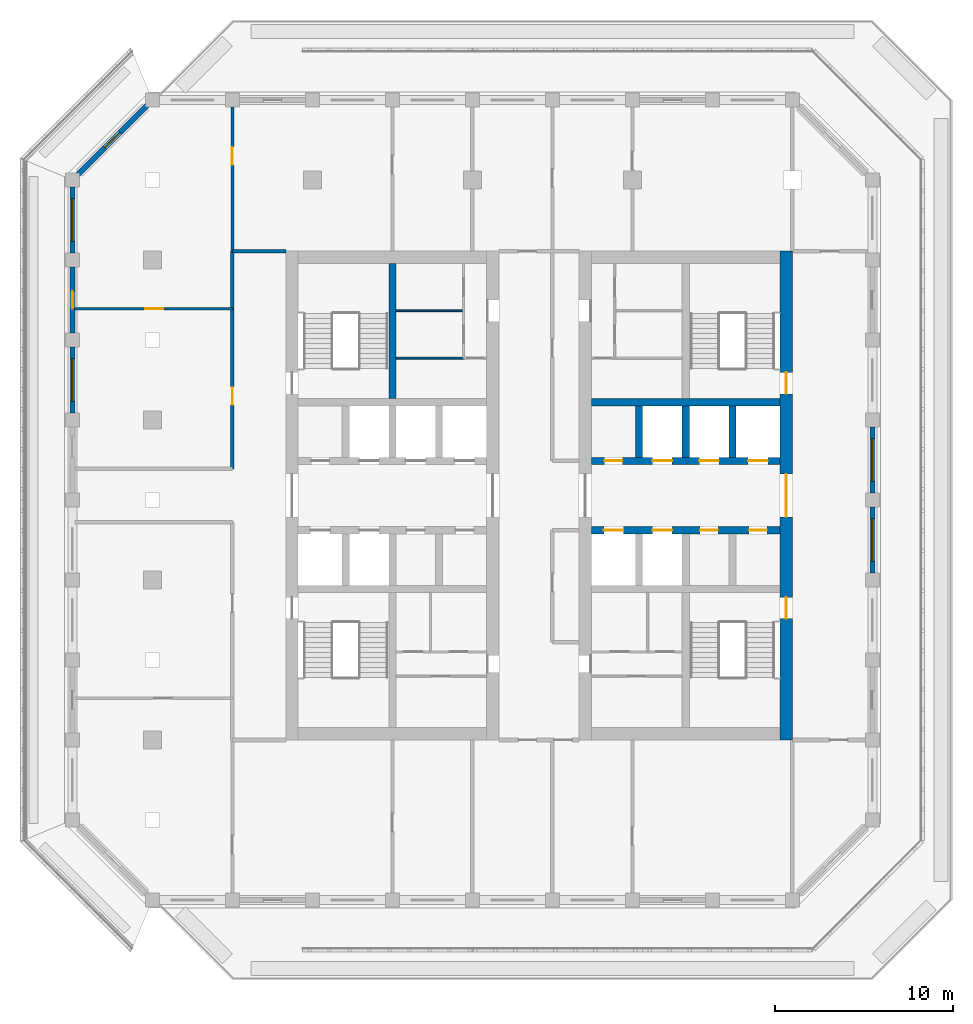
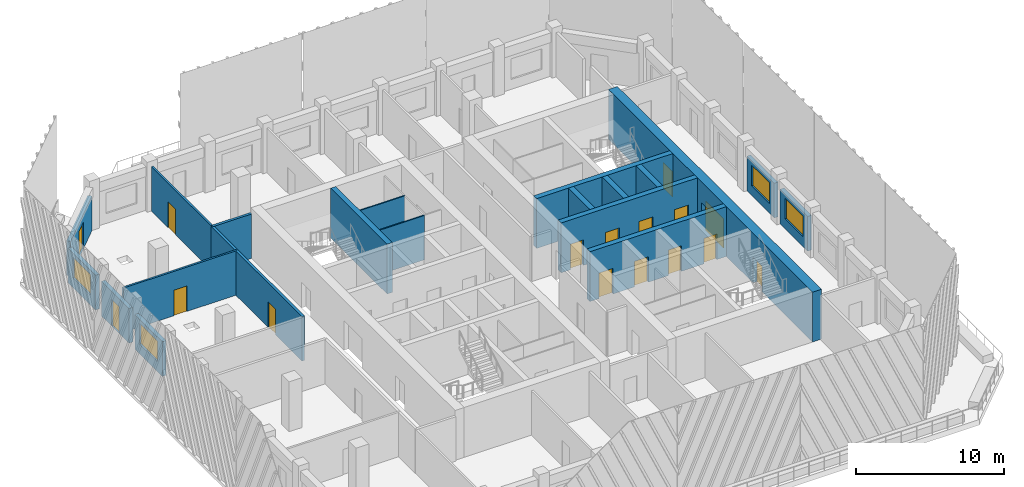
# One storey, part 5 of 14: 20 walls, 16 doors, 4 windows, 20 openings.
"""IFC4 building model written with IfcOpenShell, lengths in metres."""

from ifc_helpers import new_model, si_unit, direction, frame, frame_2d, origin, place, context, subcontext, project, spatial, rectangle, extrude, material, layer, layer_set, type_object, element, fill, save


model = new_model("IFC4")

# Units and contexts
model_context = context("Model", 3, precision=1e-05, world=origin(), true_north=direction((0.0, 1.0)))
body_context = subcontext(model_context, "Body", "Model", "MODEL_VIEW")
ifc_project = project(units=[si_unit("LENGTHUNIT", "METRE"), si_unit("AREAUNIT", "SQUARE_METRE"), si_unit("VOLUMEUNIT", "CUBIC_METRE"), si_unit("PLANEANGLEUNIT", "RADIAN"), si_unit("MASSUNIT", "GRAM", prefix="KILO")], contexts=[model_context])

# Site, building, storey
site_placement = place(None, origin())
site = spatial("IfcSite", under=ifc_project, at=site_placement, CompositionType="ELEMENT")
building_placement = place(site_placement, origin())
building = spatial("IfcBuilding", under=site, at=building_placement, Name="Corbel Stack Research Tower", CompositionType="ELEMENT")
storey_placement = place(building_placement, frame((0.0, 0.0, 266.300048828125)))
storey = spatial("IfcBuildingStorey", under=building, at=storey_placement, Name="L60", CompositionType="ELEMENT", Elevation=266.300048828125)

# Wall
ifc_material_1 = material(Name="Concrete C60/75", Category="concrete")
ifc_layer_1 = layer(ifc_material_1, 0.39990234375)
ifc_layer_set_1 = layer_set([ifc_layer_1], Name="Concrete C60/75")
wall_type_1 = type_object("IfcWallType", Name="CW-400-60", PredefinedType="SHEAR", material=ifc_layer_set_1)
wall_1_placement = place(storey_placement, frame((-4.5, 10.199951171875, 0.0), z_axis=(0.0, 0.0, 1.0), x_axis=(0.0, 1.0, 0.0)))
element("IfcWall", 1, at=wall_1_placement, inside=storey, type_object=wall_type_1, Name="West core wall, north stair and riser L60", PredefinedType="SHEAR", context=body_context, shape_type="SweptSolid", body=[
    extrude(rectangle(XDim=7.60009765625, YDim=0.39990234375, at=frame_2d((3.800048828125, 0.0))), origin(), (0.0, 0.0, 1.0), 4.099853515625),
])

# Wall, openings, doors
wall_2_placement = place(storey_placement, frame((6.699951171875, 2.800048828125, 0.0), z_axis=(0.0, 0.0, 1.0), x_axis=(1.0, 0.0, 0.0)))
wall_2 = element("IfcWall", 2, at=wall_2_placement, inside=storey, type_object=wall_type_1, Name="East core wall, lobby south L60", PredefinedType="SHEAR", context=body_context, shape_type="SweptSolid", body=[
    extrude(rectangle(XDim=10.60009765625, YDim=0.39990234375, at=frame_2d((5.300048828125, 0.0))), origin(), (0.0, 0.0, 1.0), 4.099853515625),
])
opening_1_placement = place(wall_2_placement, frame((0.6875, 0.0, 0.0)))
opening_1 = element("IfcOpeningElement", 3, at=opening_1_placement, cuts=wall_2, Name="Opening LD-FS2", PredefinedType="OPENING", context=body_context, shape_type="SweptSolid", body=[
    extrude(rectangle(XDim=1.10009765625, YDim=2.10009765625, at=frame_2d((0.550048828125, 1.050048828125))), frame((0.0, 0.2099609375, 0.0), z_axis=(0.0, -1.0, 0.0), x_axis=(1.0, 0.0, 0.0)), (0.0, 0.0, 1.0), 0.419921875),
])
opening_2_placement = place(wall_2_placement, frame((3.4375, 0.0, 0.0)))
opening_2 = element("IfcOpeningElement", 4, at=opening_2_placement, cuts=wall_2, Name="Opening LD-GL2", PredefinedType="OPENING", context=body_context, shape_type="SweptSolid", body=[
    extrude(rectangle(XDim=1.10009765625, YDim=2.10009765625, at=frame_2d((0.550048828125, 1.050048828125))), frame((0.0, 0.2099609375, 0.0), z_axis=(0.0, -1.0, 0.0), x_axis=(1.0, 0.0, 0.0)), (0.0, 0.0, 1.0), 0.419921875),
])
opening_3_placement = place(wall_2_placement, frame((6.112548828125, 0.0, 0.0)))
opening_3 = element("IfcOpeningElement", 5, at=opening_3_placement, cuts=wall_2, Name="Opening CR-E24-S3", PredefinedType="OPENING", context=body_context, shape_type="SweptSolid", body=[
    extrude(rectangle(XDim=1.0, YDim=2.10009765625, at=frame_2d((0.5, 1.050048828125))), frame((0.0, 0.2099609375, 0.0), z_axis=(0.0, -1.0, 0.0), x_axis=(1.0, 0.0, 0.0)), (0.0, 0.0, 1.0), 0.419921875),
])
opening_4_placement = place(wall_2_placement, frame((8.862548828125, 0.0, 0.0)))
opening_4 = element("IfcOpeningElement", 6, at=opening_4_placement, cuts=wall_2, Name="Opening CR-E24-S4", PredefinedType="OPENING", context=body_context, shape_type="SweptSolid", body=[
    extrude(rectangle(XDim=1.0, YDim=2.10009765625, at=frame_2d((0.5, 1.050048828125))), frame((0.0, 0.2099609375, 0.0), z_axis=(0.0, -1.0, 0.0), x_axis=(1.0, 0.0, 0.0)), (0.0, 0.0, 1.0), 0.419921875),
])
ifc_material_2 = material(Name="Stainless steel landing door", Category="steel")
door_type_1 = type_object("IfcDoorType", Name="Lift landing door 1100 x 2100", OperationType="DOUBLE_DOOR_SLIDING", PredefinedType="DOOR", material=ifc_material_2)
door_1_placement = place(opening_1_placement, origin())
door_1 = element("IfcDoor", 7, at=door_1_placement, inside=storey, type_object=door_type_1, Name="Landing door FS2", OperationType="DOUBLE_DOOR_SLIDING", OverallHeight=2.10009765625, OverallWidth=1.10009765625, PredefinedType="DOOR", context=body_context, shape_type="SweptSolid", body=[
    extrude(rectangle(XDim=1.10009765625, YDim=2.10009765625, at=frame_2d((0.550048828125, 1.050048828125))), frame((0.0, 0.02490234375, 0.0), z_axis=(0.0, -1.0, 0.0), x_axis=(1.0, 0.0, 0.0)), (0.0, 0.0, 1.0), 0.050048828125),
])
fill(opening_1, door_1)
door_2_placement = place(opening_2_placement, origin())
door_2 = element("IfcDoor", 8, at=door_2_placement, inside=storey, type_object=door_type_1, Name="Landing door GL2", OperationType="DOUBLE_DOOR_SLIDING", OverallHeight=2.10009765625, OverallWidth=1.10009765625, PredefinedType="DOOR", context=body_context, shape_type="SweptSolid", body=[
    extrude(rectangle(XDim=1.10009765625, YDim=2.10009765625, at=frame_2d((0.550048828125, 1.050048828125))), frame((0.0, 0.02490234375, 0.0), z_axis=(0.0, -1.0, 0.0), x_axis=(1.0, 0.0, 0.0)), (0.0, 0.0, 1.0), 0.050048828125),
])
fill(opening_2, door_2)
ifc_material_3 = material(Name="Painted steel door", Category="steel")
door_type_2 = type_object("IfcDoorType", Name="Service door 1000 x 2100 FD60 left hand", OperationType="SINGLE_SWING_LEFT", PredefinedType="DOOR", material=ifc_material_3)
door_3_placement = place(opening_3_placement, origin())
door_3 = element("IfcDoor", 9, at=door_3_placement, inside=storey, type_object=door_type_2, Name="Records store door E core", OperationType="SINGLE_SWING_LEFT", OverallHeight=2.10009765625, OverallWidth=1.0, PredefinedType="DOOR", context=body_context, shape_type="SweptSolid", body=[
    extrude(rectangle(XDim=1.0, YDim=2.10009765625, at=frame_2d((0.5, 1.050048828125))), frame((0.0, 0.02490234375, 0.0), z_axis=(0.0, -1.0, 0.0), x_axis=(1.0, 0.0, 0.0)), (0.0, 0.0, 1.0), 0.050048828125),
])
fill(opening_3, door_3)
ifc_material_4 = material(Name="Painted steel door", Category="steel")
door_type_3 = type_object("IfcDoorType", Name="Service door 1000 x 2100 FD60 right hand", OperationType="SINGLE_SWING_RIGHT", PredefinedType="DOOR", material=ifc_material_4)
door_4_placement = place(opening_4_placement, origin())
door_4 = element("IfcDoor", 10, at=door_4_placement, inside=storey, type_object=door_type_3, Name="Electrical room door E core", OperationType="SINGLE_SWING_RIGHT", OverallHeight=2.10009765625, OverallWidth=1.0, PredefinedType="DOOR", context=body_context, shape_type="SweptSolid", body=[
    extrude(rectangle(XDim=1.0, YDim=2.10009765625, at=frame_2d((0.5, 1.050048828125))), frame((0.0, 0.02490234375, 0.0), z_axis=(0.0, -1.0, 0.0), x_axis=(1.0, 0.0, 0.0)), (0.0, 0.0, 1.0), 0.050048828125),
])
fill(opening_4, door_4)

wall_3_placement = place(storey_placement, frame((6.699951171875, 6.699951171875, 0.0), z_axis=(0.0, 0.0, 1.0), x_axis=(1.0, 0.0, 0.0)))
wall_3 = element("IfcWall", 11, at=wall_3_placement, inside=storey, type_object=wall_type_1, Name="East core wall, lobby north L60", PredefinedType="SHEAR", context=body_context, shape_type="SweptSolid", body=[
    extrude(rectangle(XDim=10.60009765625, YDim=0.39990234375, at=frame_2d((5.300048828125, 0.0))), origin(), (0.0, 0.0, 1.0), 4.099853515625),
])
opening_5_placement = place(wall_3_placement, frame((3.4375, 0.0, 0.0)))
opening_5 = element("IfcOpeningElement", 12, at=opening_5_placement, cuts=wall_3, Name="Opening LD-HR4", PredefinedType="OPENING", context=body_context, shape_type="SweptSolid", body=[
    extrude(rectangle(XDim=1.10009765625, YDim=2.10009765625, at=frame_2d((0.550048828125, 1.050048828125))), frame((0.0, 0.2099609375, 0.0), z_axis=(0.0, -1.0, 0.0), x_axis=(1.0, 0.0, 0.0)), (0.0, 0.0, 1.0), 0.419921875),
])
opening_6_placement = place(wall_3_placement, frame((6.0625, 0.0, 0.0)))
opening_6 = element("IfcOpeningElement", 13, at=opening_6_placement, cuts=wall_3, Name="Opening LD-HR5", PredefinedType="OPENING", context=body_context, shape_type="SweptSolid", body=[
    extrude(rectangle(XDim=1.10009765625, YDim=2.10009765625, at=frame_2d((0.550048828125, 1.050048828125))), frame((0.0, 0.2099609375, 0.0), z_axis=(0.0, -1.0, 0.0), x_axis=(1.0, 0.0, 0.0)), (0.0, 0.0, 1.0), 0.419921875),
])
opening_7_placement = place(wall_3_placement, frame((8.8125, 0.0, 0.0)))
opening_7 = element("IfcOpeningElement", 14, at=opening_7_placement, cuts=wall_3, Name="Opening LD-HR6", PredefinedType="OPENING", context=body_context, shape_type="SweptSolid", body=[
    extrude(rectangle(XDim=1.10009765625, YDim=2.10009765625, at=frame_2d((0.550048828125, 1.050048828125))), frame((0.0, 0.2099609375, 0.0), z_axis=(0.0, -1.0, 0.0), x_axis=(1.0, 0.0, 0.0)), (0.0, 0.0, 1.0), 0.419921875),
])
opening_8_placement = place(wall_3_placement, frame((0.737548828125, 0.0, 0.0)))
opening_8 = element("IfcOpeningElement", 15, at=opening_8_placement, cuts=wall_3, Name="Opening CR-E24-N1", PredefinedType="OPENING", context=body_context, shape_type="SweptSolid", body=[
    extrude(rectangle(XDim=1.0, YDim=2.10009765625, at=frame_2d((0.5, 1.050048828125))), frame((0.0, 0.2099609375, 0.0), z_axis=(0.0, -1.0, 0.0), x_axis=(1.0, 0.0, 0.0)), (0.0, 0.0, 1.0), 0.419921875),
])
door_5_placement = place(opening_5_placement, origin())
door_5 = element("IfcDoor", 16, at=door_5_placement, inside=storey, type_object=door_type_1, Name="Landing door HR4", OperationType="DOUBLE_DOOR_SLIDING", OverallHeight=2.10009765625, OverallWidth=1.10009765625, PredefinedType="DOOR", context=body_context, shape_type="SweptSolid", body=[
    extrude(rectangle(XDim=1.10009765625, YDim=2.10009765625, at=frame_2d((0.550048828125, 1.050048828125))), frame((0.0, 0.02490234375, 0.0), z_axis=(0.0, -1.0, 0.0), x_axis=(1.0, 0.0, 0.0)), (0.0, 0.0, 1.0), 0.050048828125),
])
fill(opening_5, door_5)
door_6_placement = place(opening_6_placement, origin())
door_6 = element("IfcDoor", 17, at=door_6_placement, inside=storey, type_object=door_type_1, Name="Landing door HR5", OperationType="DOUBLE_DOOR_SLIDING", OverallHeight=2.10009765625, OverallWidth=1.10009765625, PredefinedType="DOOR", context=body_context, shape_type="SweptSolid", body=[
    extrude(rectangle(XDim=1.10009765625, YDim=2.10009765625, at=frame_2d((0.550048828125, 1.050048828125))), frame((0.0, 0.02490234375, 0.0), z_axis=(0.0, -1.0, 0.0), x_axis=(1.0, 0.0, 0.0)), (0.0, 0.0, 1.0), 0.050048828125),
])
fill(opening_6, door_6)
door_7_placement = place(opening_7_placement, origin())
door_7 = element("IfcDoor", 18, at=door_7_placement, inside=storey, type_object=door_type_1, Name="Landing door HR6", OperationType="DOUBLE_DOOR_SLIDING", OverallHeight=2.10009765625, OverallWidth=1.10009765625, PredefinedType="DOOR", context=body_context, shape_type="SweptSolid", body=[
    extrude(rectangle(XDim=1.10009765625, YDim=2.10009765625, at=frame_2d((0.550048828125, 1.050048828125))), frame((0.0, 0.02490234375, 0.0), z_axis=(0.0, -1.0, 0.0), x_axis=(1.0, 0.0, 0.0)), (0.0, 0.0, 1.0), 0.050048828125),
])
fill(opening_7, door_7)
door_8_placement = place(opening_8_placement, origin())
door_8 = element("IfcDoor", 19, at=door_8_placement, inside=storey, type_object=door_type_2, Name="Pantry door E core", OperationType="SINGLE_SWING_LEFT", OverallHeight=2.10009765625, OverallWidth=1.0, PredefinedType="DOOR", context=body_context, shape_type="SweptSolid", body=[
    extrude(rectangle(XDim=1.0, YDim=2.10009765625, at=frame_2d((0.5, 1.050048828125))), frame((0.0, 0.02490234375, 0.0), z_axis=(0.0, -1.0, 0.0), x_axis=(1.0, 0.0, 0.0)), (0.0, 0.0, 1.0), 0.050048828125),
])
fill(opening_8, door_8)

# Walls
wall_4_placement = place(storey_placement, frame((6.699951171875, 10.0, 0.0), z_axis=(0.0, 0.0, 1.0), x_axis=(1.0, 0.0, 0.0)))
element("IfcWall", 20, at=wall_4_placement, inside=storey, type_object=wall_type_1, Name="East core wall, north row back L60", PredefinedType="SHEAR", context=body_context, shape_type="SweptSolid", body=[
    extrude(rectangle(XDim=10.60009765625, YDim=0.39990234375, at=frame_2d((5.300048828125, 0.0))), origin(), (0.0, 0.0, 1.0), 4.099853515625),
])
for number, where, z_axis, x_axis, name in (
    (21, (9.375, 6.89990234375, 0.0), (0.0, 0.0, 1.0), (0.0, 1.0, 0.0), "East core wall, north shaft 1 L60"),
    (22, (12.0, 6.89990234375, 0.0), (0.0, 0.0, 1.0), (0.0, 1.0, 0.0), "East core wall, north shaft 2 L60"),
    (23, (14.625, 6.89990234375, 0.0), (0.0, 0.0, 1.0), (0.0, 1.0, 0.0), "East core wall, north shaft 3 L60"),
):
    element("IfcWall", number, at=place(storey_placement, frame(where, z_axis=z_axis, x_axis=x_axis)), inside=storey, type_object=wall_type_1, Name=name, PredefinedType="SHEAR", context=body_context, shape_type="SweptSolid", body=[
        extrude(rectangle(XDim=2.900146484375, YDim=0.39990234375, at=frame_2d((1.4501953125, 0.0))), origin(), (0.0, 0.0, 1.0), 4.099853515625),
    ])

# Wall, openings, doors
ifc_material_5 = material(Name="Concrete C60/75", Category="concrete")
ifc_layer_2 = layer(ifc_material_5, 0.699951171875)
ifc_layer_set_2 = layer_set([ifc_layer_2], Name="Concrete C60/75")
wall_type_2 = type_object("IfcWallType", Name="CW-700-60", PredefinedType="SHEAR", material=ifc_layer_set_2)
wall_5_placement = place(storey_placement, frame((17.64990234375, -9.0, 0.0), z_axis=(0.0, 0.0, 1.0), x_axis=(0.0, 1.0, 0.0)))
wall_5 = element("IfcWall", 24, at=wall_5_placement, inside=storey, type_object=wall_type_2, Name="East core wall, east face L60", PredefinedType="SHEAR", context=body_context, shape_type="SweptSolid", body=[
    extrude(rectangle(XDim=27.5, YDim=0.699951171875, at=frame_2d((13.75, 0.0))), origin(), (0.0, 0.0, 1.0), 4.099853515625),
])
opening_9_placement = place(wall_5_placement, frame((12.550048828125, 0.0, 0.0)))
opening_9 = element("IfcOpeningElement", 25, at=opening_9_placement, cuts=wall_5, Name="Opening CD-E-E", PredefinedType="OPENING", context=body_context, shape_type="SweptSolid", body=[
    extrude(rectangle(XDim=2.39990234375, YDim=2.39990234375, at=frame_2d((1.199951171875, 1.199951171875))), frame((0.0, 0.35986328125, 0.0), z_axis=(0.0, -1.0, 0.0), x_axis=(1.0, 0.0, 0.0)), (0.0, 0.0, 1.0), 0.719970703125),
])
opening_10_placement = place(wall_5_placement, frame((6.824951171875, 0.0, 0.0)))
opening_10 = element("IfcOpeningElement", 26, at=opening_10_placement, cuts=wall_5, Name="Opening SD-ST-E1", PredefinedType="OPENING", context=body_context, shape_type="SweptSolid", body=[
    extrude(rectangle(XDim=1.199951171875, YDim=2.10009765625, at=frame_2d((0.60009765625, 1.050048828125))), frame((0.0, 0.35986328125, 0.0), z_axis=(0.0, -1.0, 0.0), x_axis=(1.0, 0.0, 0.0)), (0.0, 0.0, 1.0), 0.719970703125),
])
opening_11_placement = place(wall_5_placement, frame((19.47509765625, 0.0, 0.0)))
opening_11 = element("IfcOpeningElement", 27, at=opening_11_placement, cuts=wall_5, Name="Opening SD-ST-E2", PredefinedType="OPENING", context=body_context, shape_type="SweptSolid", body=[
    extrude(rectangle(XDim=1.199951171875, YDim=2.10009765625, at=frame_2d((0.60009765625, 1.050048828125))), frame((0.0, 0.35986328125, 0.0), z_axis=(0.0, -1.0, 0.0), x_axis=(1.0, 0.0, 0.0)), (0.0, 0.0, 1.0), 0.719970703125),
])
ifc_material_6 = material(Name="Painted steel fire door", Category="steel")
door_type_4 = type_object("IfcDoorType", Name="Lobby door pair 2400 x 2400 FD30S", OperationType="DOUBLE_DOOR_DOUBLE_SWING", PredefinedType="DOOR", material=ifc_material_6)
door_9_placement = place(opening_9_placement, origin())
door_9 = element("IfcDoor", 28, at=door_9_placement, inside=storey, type_object=door_type_4, Name="Lift lobby door E core E", OperationType="DOUBLE_DOOR_DOUBLE_SWING", OverallHeight=2.39990234375, OverallWidth=2.39990234375, PredefinedType="DOOR", context=body_context, shape_type="SweptSolid", body=[
    extrude(rectangle(XDim=2.39990234375, YDim=2.39990234375, at=frame_2d((1.199951171875, 1.199951171875))), frame((0.0, 0.02490234375, 0.0), z_axis=(0.0, -1.0, 0.0), x_axis=(1.0, 0.0, 0.0)), (0.0, 0.0, 1.0), 0.050048828125),
])
fill(opening_9, door_9)
ifc_material_7 = material(Name="Painted steel fire door", Category="steel")
door_type_5 = type_object("IfcDoorType", Name="Stair door 1200 x 2100 FD90 right hand", OperationType="SINGLE_SWING_RIGHT", PredefinedType="DOOR", material=ifc_material_7)
door_10_placement = place(opening_10_placement, frame((1.199951171875, 0.0, 0.0), z_axis=(0.0, 0.0, 1.0), x_axis=(-1.0, 0.0, 0.0)))
door_10 = element("IfcDoor", 29, at=door_10_placement, inside=storey, type_object=door_type_5, Name="Stair door ST-E1", OperationType="SINGLE_SWING_LEFT", OverallHeight=2.10009765625, OverallWidth=1.199951171875, PredefinedType="DOOR", context=body_context, shape_type="SweptSolid", body=[
    extrude(rectangle(XDim=1.199951171875, YDim=2.10009765625, at=frame_2d((0.60009765625, 1.050048828125))), frame((0.0, 0.02490234375, 0.0), z_axis=(0.0, -1.0, 0.0), x_axis=(1.0, 0.0, 0.0)), (0.0, 0.0, 1.0), 0.050048828125),
])
fill(opening_10, door_10)
door_11_placement = place(opening_11_placement, frame((1.199951171875, 0.0, 0.0), z_axis=(0.0, 0.0, 1.0), x_axis=(-1.0, 0.0, 0.0)))
door_11 = element("IfcDoor", 30, at=door_11_placement, inside=storey, type_object=door_type_5, Name="Stair door ST-E2", OperationType="SINGLE_SWING_LEFT", OverallHeight=2.10009765625, OverallWidth=1.199951171875, PredefinedType="DOOR", context=body_context, shape_type="SweptSolid", body=[
    extrude(rectangle(XDim=1.199951171875, YDim=2.10009765625, at=frame_2d((0.60009765625, 1.050048828125))), frame((0.0, 0.02490234375, 0.0), z_axis=(0.0, -1.0, 0.0), x_axis=(1.0, 0.0, 0.0)), (0.0, 0.0, 1.0), 0.050048828125),
])
fill(opening_11, door_11)

# Walls
ifc_material_8 = material(Name="Gypsum board")
ifc_layer_3 = layer(ifc_material_8, 0.10009765625)
ifc_layer_set_3 = layer_set([ifc_layer_3], Name="Gypsum board")
wall_type_3 = type_object("IfcWallType", Name="Core partition 100", PredefinedType="PARTITIONING", material=ifc_layer_set_3)
for number, where, z_axis, x_axis, name in (
    (31, (-4.300048828125, 12.47998046875, 0.0), (0.0, 0.0, 1.0), (1.0, 0.0, 0.0), "Core partition W"),
    (32, (-4.300048828125, 15.139892578125, 0.0), (0.0, 0.0, 1.0), (1.0, 0.0, 0.0), "Core partition W"),
):
    element("IfcWall", number, at=place(storey_placement, frame(where, z_axis=z_axis, x_axis=x_axis)), inside=storey, type_object=wall_type_3, Name=name, PredefinedType="PARTITIONING", context=body_context, shape_type="SweptSolid", body=[
        extrude(rectangle(XDim=3.800048828125, YDim=0.10009765625, at=frame_2d((1.89990234375, 0.0))), origin(), (0.0, 0.0, 1.0), 3.64990234375),
    ])

# Wall, opening, door
ifc_material_9 = material(Name="Fire-rated gypsum board partition on steel studs", Category="steel")
ifc_layer_4 = layer(ifc_material_9, 0.14990234375)
ifc_layer_set_4 = layer_set([ifc_layer_4], Name="Fire-rated gypsum board partition on steel studs")
wall_type_4 = type_object("IfcWallType", Name="Fire-rated partition 150 EI 60", PredefinedType="PARTITIONING", material=ifc_layer_set_4)
wall_6_placement = place(storey_placement, frame((-13.5, 26.60009765625, 0.0), z_axis=(0.0, 0.0, 1.0), x_axis=(0.0, -1.0, 0.0)))
wall_6 = element("IfcWall", 33, at=wall_6_placement, inside=storey, type_object=wall_type_4, Name="Partition L60-002", PredefinedType="PARTITIONING", context=body_context, shape_type="SweptSolid", body=[
    extrude(rectangle(XDim=8.10009765625, YDim=0.14990234375, at=frame_2d((4.050048828125, 0.0))), origin(), (0.0, 0.0, 1.0), 3.64990234375),
])
opening_12_placement = place(wall_6_placement, frame((2.25, 0.0, 0.0)))
opening_12 = element("IfcOpeningElement", 34, at=opening_12_placement, cuts=wall_6, Name="Opening B8V0H-004", PredefinedType="OPENING", context=body_context, shape_type="SweptSolid", body=[
    extrude(rectangle(XDim=1.0, YDim=2.10009765625, at=frame_2d((0.5, 1.050048828125))), frame((0.0, 0.0849609375, 0.0), z_axis=(0.0, -1.0, 0.0), x_axis=(1.0, 0.0, 0.0)), (0.0, 0.0, 1.0), 0.169921875),
])
ifc_material_10 = material(Name="Painted steel fire door", Category="steel")
door_type_6 = type_object("IfcDoorType", Name="Fire door FD30S 1000 x 2100", OperationType="NOTDEFINED", PredefinedType="DOOR", material=ifc_material_10)
door_12_placement = place(opening_12_placement, origin())
door_12 = element("IfcDoor", 35, at=door_12_placement, inside=storey, type_object=door_type_6, Name="Door B8V0H-004", OperationType="SINGLE_SWING_LEFT", OverallHeight=2.10009765625, OverallWidth=1.0, PredefinedType="DOOR", context=body_context, shape_type="SweptSolid", body=[
    extrude(rectangle(XDim=1.0, YDim=2.10009765625, at=frame_2d((0.5, 1.050048828125))), frame((0.0, 0.02490234375, 0.0), z_axis=(0.0, -1.0, 0.0), x_axis=(1.0, 0.0, 0.0)), (0.0, 0.0, 1.0), 0.050048828125),
])
fill(opening_12, door_12)

ifc_material_11 = material(Name="Fire-rated gypsum board partition on steel studs", Category="steel")
ifc_layer_5 = layer(ifc_material_11, 0.199951171875)
ifc_layer_set_5 = layer_set([ifc_layer_5], Name="Fire-rated gypsum board partition on steel studs")
wall_type_5 = type_object("IfcWallType", Name="Fire-rated partition 200 EI 60", PredefinedType="PARTITIONING", material=ifc_layer_set_5)
wall_7_placement = place(storey_placement, frame((-13.5, 6.25, 0.0), z_axis=(0.0, 0.0, 1.0), x_axis=(0.0, 1.0, 0.0)))
wall_7 = element("IfcWall", 36, at=wall_7_placement, inside=storey, type_object=wall_type_5, Name="Partition L60-004", PredefinedType="PARTITIONING", context=body_context, shape_type="SweptSolid", body=[
    extrude(rectangle(XDim=12.25, YDim=0.199951171875, at=frame_2d((6.125, 0.0))), origin(), (0.0, 0.0, 1.0), 3.64990234375),
])
opening_13_placement = place(wall_7_placement, frame((3.60009765625, 0.0, 0.0)))
opening_13 = element("IfcOpeningElement", 37, at=opening_13_placement, cuts=wall_7, Name="Opening B8V0H-003", PredefinedType="OPENING", context=body_context, shape_type="SweptSolid", body=[
    extrude(rectangle(XDim=1.0, YDim=2.10009765625, at=frame_2d((0.5, 1.050048828125))), frame((0.0, 0.10986328125, 0.0), z_axis=(0.0, -1.0, 0.0), x_axis=(1.0, 0.0, 0.0)), (0.0, 0.0, 1.0), 0.219970703125),
])
door_13_placement = place(opening_13_placement, origin())
door_13 = element("IfcDoor", 38, at=door_13_placement, inside=storey, type_object=door_type_6, Name="Door B8V0H-003", OperationType="SINGLE_SWING_LEFT", OverallHeight=2.10009765625, OverallWidth=1.0, PredefinedType="DOOR", context=body_context, shape_type="SweptSolid", body=[
    extrude(rectangle(XDim=1.0, YDim=2.10009765625, at=frame_2d((0.5, 1.050048828125))), frame((0.0, 0.02490234375, 0.0), z_axis=(0.0, -1.0, 0.0), x_axis=(1.0, 0.0, 0.0)), (0.0, 0.0, 1.0), 0.050048828125),
])
fill(opening_13, door_13)

# Wall
wall_8_placement = place(storey_placement, frame((-13.5, 18.5, 0.0), z_axis=(0.0, 0.0, 1.0), x_axis=(1.0, 0.0, 0.0)))
element("IfcWall", 39, at=wall_8_placement, inside=storey, type_object=wall_type_5, Name="Partition L60-030", PredefinedType="PARTITIONING", context=body_context, shape_type="SweptSolid", body=[
    extrude(rectangle(XDim=3.0, YDim=0.199951171875, at=frame_2d((1.5, 0.0))), origin(), (0.0, 0.0, 1.0), 3.64990234375),
])

# Wall, opening, door
ifc_material_12 = material(Name="Gypsum board partition on steel studs", Category="steel")
ifc_layer_6 = layer(ifc_material_12, 0.14990234375)
ifc_layer_set_6 = layer_set([ifc_layer_6], Name="Gypsum board partition on steel studs")
wall_type_6 = type_object("IfcWallType", Name="Partition 150", PredefinedType="PARTITIONING", material=ifc_layer_set_6)
wall_9_placement = place(storey_placement, frame((-22.35009765625, 15.25, 0.0), z_axis=(0.0, 0.0, 1.0), x_axis=(1.0, 0.0, 0.0)))
wall_9 = element("IfcWall", 40, at=wall_9_placement, inside=storey, type_object=wall_type_6, Name="Partition L60-029", PredefinedType="PARTITIONING", context=body_context, shape_type="SweptSolid", body=[
    extrude(rectangle(XDim=8.85009765625, YDim=0.14990234375, at=frame_2d((4.425048828125, 0.0))), origin(), (0.0, 0.0, 1.0), 3.64990234375),
])
opening_14_placement = place(wall_9_placement, frame((3.949951171875, 0.0, 0.0)))
opening_14 = element("IfcOpeningElement", 41, at=opening_14_placement, cuts=wall_9, Name="Opening B8V0H-016", PredefinedType="OPENING", context=body_context, shape_type="SweptSolid", body=[
    extrude(rectangle(XDim=1.0, YDim=2.10009765625, at=frame_2d((0.5, 1.050048828125))), frame((0.0, 0.0849609375, 0.0), z_axis=(0.0, -1.0, 0.0), x_axis=(1.0, 0.0, 0.0)), (0.0, 0.0, 1.0), 0.169921875),
])
ifc_material_13 = material(Name="Painted timber door", Category="wood")
door_type_7 = type_object("IfcDoorType", Name="Single door 1000 x 2100", OperationType="NOTDEFINED", PredefinedType="DOOR", material=ifc_material_13)
door_14_placement = place(opening_14_placement, origin())
door_14 = element("IfcDoor", 42, at=door_14_placement, inside=storey, type_object=door_type_7, Name="Door B8V0H-016", OperationType="SINGLE_SWING_LEFT", OverallHeight=2.10009765625, OverallWidth=1.0, PredefinedType="DOOR", context=body_context, shape_type="SweptSolid", body=[
    extrude(rectangle(XDim=1.0, YDim=2.10009765625, at=frame_2d((0.5, 1.050048828125))), frame((0.0, 0.02490234375, 0.0), z_axis=(0.0, -1.0, 0.0), x_axis=(1.0, 0.0, 0.0)), (0.0, 0.0, 1.0), 0.050048828125),
])
fill(opening_14, door_14)

# Wall, opening, window
ifc_material_14 = material(Name="Concrete C45/55", Category="concrete")
ifc_layer_7 = layer(ifc_material_14, 0.300048828125)
ifc_layer_set_7 = layer_set([ifc_layer_7], Name="Concrete C45/55")
wall_type_7 = type_object("IfcWallType", Name="Terracotta-faced concrete wall 300", PredefinedType="SOLIDWALL", material=ifc_layer_set_7)
wall_10_placement = place(storey_placement, frame((22.5, 4.10009765625, 0.0), z_axis=(0.0, 0.0, 1.0), x_axis=(0.0, -1.0, 0.0)))
wall_10 = element("IfcWall", 43, at=wall_10_placement, inside=storey, type_object=wall_type_7, Name="Facade wall L60 E04", PredefinedType="SOLIDWALL", context=body_context, shape_type="SweptSolid", body=[
    extrude(rectangle(XDim=3.7001953125, YDim=0.300048828125, at=frame_2d((1.85009765625, 0.0))), origin(), (0.0, 0.0, 1.0), 2.849853515625),
])
opening_15_placement = place(wall_10_placement, frame((0.64990234375, 0.0, 0.800048828125)))
opening_15 = element("IfcOpeningElement", 44, at=opening_15_placement, cuts=wall_10, Name="Opening W1", PredefinedType="OPENING", context=body_context, shape_type="SweptSolid", body=[
    extrude(rectangle(XDim=2.39990234375, YDim=1.699951171875, at=frame_2d((1.199951171875, 0.85009765625))), frame((0.0, 0.159912109375, 0.0), z_axis=(0.0, -1.0, 0.0), x_axis=(1.0, 0.0, 0.0)), (0.0, 0.0, 1.0), 0.320068359375),
])
ifc_material_15 = material(Name="Aluminium frame, clear double glazing", Category="aluminium")
window_type = type_object("IfcWindowType", Name="Window W1 2400 x 1700", PartitioningType="SINGLE_PANEL", PredefinedType="WINDOW", material=ifc_material_15)
window_1_placement = place(opening_15_placement, origin())
window_1 = element("IfcWindow", 45, at=window_1_placement, inside=storey, type_object=window_type, Name="Window W1 L60 E04", OverallHeight=1.699951171875, OverallWidth=2.39990234375, PartitioningType="SINGLE_PANEL", PredefinedType="WINDOW", context=body_context, shape_type="SweptSolid", body=[
    extrude(rectangle(XDim=2.39990234375, YDim=1.699951171875, at=frame_2d((1.199951171875, 0.85009765625))), frame((0.0, 0.030029296875, 0.0), z_axis=(0.0, -1.0, 0.0), x_axis=(1.0, 0.0, 0.0)), (0.0, 0.0, 1.0), 0.06005859375),
])
fill(opening_15, window_1)

wall_11_placement = place(storey_placement, frame((22.5, 8.60009765625, 0.0), z_axis=(0.0, 0.0, 1.0), x_axis=(0.0, -1.0, 0.0)))
wall_11 = element("IfcWall", 46, at=wall_11_placement, inside=storey, type_object=wall_type_7, Name="Facade wall L60 E05", PredefinedType="SOLIDWALL", context=body_context, shape_type="SweptSolid", body=[
    extrude(rectangle(XDim=3.7001953125, YDim=0.300048828125, at=frame_2d((1.85009765625, 0.0))), origin(), (0.0, 0.0, 1.0), 2.849853515625),
])
opening_16_placement = place(wall_11_placement, frame((0.64990234375, 0.0, 0.800048828125)))
opening_16 = element("IfcOpeningElement", 47, at=opening_16_placement, cuts=wall_11, Name="Opening W1", PredefinedType="OPENING", context=body_context, shape_type="SweptSolid", body=[
    extrude(rectangle(XDim=2.39990234375, YDim=1.699951171875, at=frame_2d((1.199951171875, 0.85009765625))), frame((0.0, 0.159912109375, 0.0), z_axis=(0.0, -1.0, 0.0), x_axis=(1.0, 0.0, 0.0)), (0.0, 0.0, 1.0), 0.320068359375),
])
window_2_placement = place(opening_16_placement, origin())
window_2 = element("IfcWindow", 48, at=window_2_placement, inside=storey, type_object=window_type, Name="Window W1 L60 E05", OverallHeight=1.699951171875, OverallWidth=2.39990234375, PartitioningType="SINGLE_PANEL", PredefinedType="WINDOW", context=body_context, shape_type="SweptSolid", body=[
    extrude(rectangle(XDim=2.39990234375, YDim=1.699951171875, at=frame_2d((1.199951171875, 0.85009765625))), frame((0.0, 0.030029296875, 0.0), z_axis=(0.0, -1.0, 0.0), x_axis=(1.0, 0.0, 0.0)), (0.0, 0.0, 1.0), 0.06005859375),
])
fill(opening_16, window_2)

# Wall, opening, door
wall_12_placement = place(storey_placement, frame((-22.2060546875, 22.7939453125, 0.0), z_axis=(0.0, 0.0, 1.0), x_axis=(0.707106781187, 0.707106781187, 0.0)))
wall_12 = element("IfcWall", 49, at=wall_12_placement, inside=storey, type_object=wall_type_7, Name="Facade wall L60 NW01", PredefinedType="SOLIDWALL", context=body_context, shape_type="SweptSolid", body=[
    extrude(rectangle(XDim=5.532470703125, YDim=0.300048828125, at=frame_2d((2.76611328125, 0.0))), origin(), (0.0, 0.0, 1.0), 2.849853515625),
])
opening_17_placement = place(wall_12_placement, frame((2.166259765625, 0.0, 0.0)))
opening_17 = element("IfcOpeningElement", 50, at=opening_17_placement, cuts=wall_12, Name="Opening L60-B09", PredefinedType="OPENING", context=body_context, shape_type="SweptSolid", body=[
    extrude(rectangle(XDim=1.199951171875, YDim=2.199951171875, at=frame_2d((0.60009765625, 1.10009765625))), frame((0.0, 0.159912109375, 0.0), z_axis=(0.0, -1.0, 0.0), x_axis=(1.0, 0.0, 0.0)), (0.0, 0.0, 1.0), 0.320068359375),
])
ifc_material_16 = material(Name="Aluminium frame, clear double glazing", Category="aluminium")
door_type_8 = type_object("IfcDoorType", Name="Balcony door BD2 1200 x 2200", OperationType="NOTDEFINED", PredefinedType="DOOR", material=ifc_material_16)
door_15_placement = place(opening_17_placement, origin())
door_15 = element("IfcDoor", 51, at=door_15_placement, inside=storey, type_object=door_type_8, Name="Balcony door L60-B09", OperationType="SINGLE_SWING_LEFT", OverallHeight=2.199951171875, OverallWidth=1.199951171875, PredefinedType="DOOR", context=body_context, shape_type="SweptSolid", body=[
    extrude(rectangle(XDim=1.199951171875, YDim=2.199951171875, at=frame_2d((0.60009765625, 1.10009765625))), frame((0.0, 0.02490234375, 0.0), z_axis=(0.0, -1.0, 0.0), x_axis=(1.0, 0.0, 0.0)), (0.0, 0.0, 1.0), 0.050048828125),
])
fill(opening_17, door_15)

# Wall, opening, window
wall_13_placement = place(storey_placement, frame((-22.5, 18.39990234375, 0.0), z_axis=(0.0, 0.0, 1.0), x_axis=(0.0, 1.0, 0.0)))
wall_13 = element("IfcWall", 52, at=wall_13_placement, inside=storey, type_object=wall_type_7, Name="Facade wall L60 W01", PredefinedType="SOLIDWALL", context=body_context, shape_type="SweptSolid", body=[
    extrude(rectangle(XDim=3.7001953125, YDim=0.300048828125, at=frame_2d((1.85009765625, 0.0))), origin(), (0.0, 0.0, 1.0), 2.849853515625),
])
opening_18_placement = place(wall_13_placement, frame((0.64990234375, 0.0, 0.800048828125)))
opening_18 = element("IfcOpeningElement", 53, at=opening_18_placement, cuts=wall_13, Name="Opening W1", PredefinedType="OPENING", context=body_context, shape_type="SweptSolid", body=[
    extrude(rectangle(XDim=2.39990234375, YDim=1.699951171875, at=frame_2d((1.199951171875, 0.85009765625))), frame((0.0, 0.159912109375, 0.0), z_axis=(0.0, -1.0, 0.0), x_axis=(1.0, 0.0, 0.0)), (0.0, 0.0, 1.0), 0.320068359375),
])
window_3_placement = place(opening_18_placement, origin())
window_3 = element("IfcWindow", 54, at=window_3_placement, inside=storey, type_object=window_type, Name="Window W1 L60 W01", OverallHeight=1.699951171875, OverallWidth=2.39990234375, PartitioningType="SINGLE_PANEL", PredefinedType="WINDOW", context=body_context, shape_type="SweptSolid", body=[
    extrude(rectangle(XDim=2.39990234375, YDim=1.699951171875, at=frame_2d((1.199951171875, 0.85009765625))), frame((0.0, 0.030029296875, 0.0), z_axis=(0.0, -1.0, 0.0), x_axis=(1.0, 0.0, 0.0)), (0.0, 0.0, 1.0), 0.06005859375),
])
fill(opening_18, window_3)

# Wall, opening, door
wall_14_placement = place(storey_placement, frame((-22.5, 13.89990234375, 0.0), z_axis=(0.0, 0.0, 1.0), x_axis=(0.0, 1.0, 0.0)))
wall_14 = element("IfcWall", 55, at=wall_14_placement, inside=storey, type_object=wall_type_7, Name="Facade wall L60 W02", PredefinedType="SOLIDWALL", context=body_context, shape_type="SweptSolid", body=[
    extrude(rectangle(XDim=3.7001953125, YDim=0.300048828125, at=frame_2d((1.85009765625, 0.0))), origin(), (0.0, 0.0, 1.0), 2.849853515625),
])
opening_19_placement = place(wall_14_placement, frame((1.35009765625, 0.0, 0.0)))
opening_19 = element("IfcOpeningElement", 56, at=opening_19_placement, cuts=wall_14, Name="Opening L60-B10", PredefinedType="OPENING", context=body_context, shape_type="SweptSolid", body=[
    extrude(rectangle(XDim=1.0, YDim=2.199951171875, at=frame_2d((0.5, 1.10009765625))), frame((0.0, 0.159912109375, 0.0), z_axis=(0.0, -1.0, 0.0), x_axis=(1.0, 0.0, 0.0)), (0.0, 0.0, 1.0), 0.320068359375),
])
ifc_material_17 = material(Name="Aluminium frame, clear double glazing", Category="aluminium")
door_type_9 = type_object("IfcDoorType", Name="Balcony door BD1 1000 x 2200", OperationType="NOTDEFINED", PredefinedType="DOOR", material=ifc_material_17)
door_16_placement = place(opening_19_placement, origin())
door_16 = element("IfcDoor", 57, at=door_16_placement, inside=storey, type_object=door_type_9, Name="Balcony door L60-B10", OperationType="SINGLE_SWING_RIGHT", OverallHeight=2.199951171875, OverallWidth=1.0, PredefinedType="DOOR", context=body_context, shape_type="SweptSolid", body=[
    extrude(rectangle(XDim=1.0, YDim=2.199951171875, at=frame_2d((0.5, 1.10009765625))), frame((0.0, 0.02490234375, 0.0), z_axis=(0.0, -1.0, 0.0), x_axis=(1.0, 0.0, 0.0)), (0.0, 0.0, 1.0), 0.050048828125),
])
fill(opening_19, door_16)

# Wall, opening, window
wall_15_placement = place(storey_placement, frame((-22.5, 9.39990234375, 0.0), z_axis=(0.0, 0.0, 1.0), x_axis=(0.0, 1.0, 0.0)))
wall_15 = element("IfcWall", 58, at=wall_15_placement, inside=storey, type_object=wall_type_7, Name="Facade wall L60 W03", PredefinedType="SOLIDWALL", context=body_context, shape_type="SweptSolid", body=[
    extrude(rectangle(XDim=3.7001953125, YDim=0.300048828125, at=frame_2d((1.85009765625, 0.0))), origin(), (0.0, 0.0, 1.0), 2.849853515625),
])
opening_20_placement = place(wall_15_placement, frame((0.64990234375, 0.0, 0.800048828125)))
opening_20 = element("IfcOpeningElement", 59, at=opening_20_placement, cuts=wall_15, Name="Opening W1", PredefinedType="OPENING", context=body_context, shape_type="SweptSolid", body=[
    extrude(rectangle(XDim=2.39990234375, YDim=1.699951171875, at=frame_2d((1.199951171875, 0.85009765625))), frame((0.0, 0.159912109375, 0.0), z_axis=(0.0, -1.0, 0.0), x_axis=(1.0, 0.0, 0.0)), (0.0, 0.0, 1.0), 0.320068359375),
])
window_4_placement = place(opening_20_placement, origin())
window_4 = element("IfcWindow", 60, at=window_4_placement, inside=storey, type_object=window_type, Name="Window W1 L60 W03", OverallHeight=1.699951171875, OverallWidth=2.39990234375, PartitioningType="SINGLE_PANEL", PredefinedType="WINDOW", context=body_context, shape_type="SweptSolid", body=[
    extrude(rectangle(XDim=2.39990234375, YDim=1.699951171875, at=frame_2d((1.199951171875, 0.85009765625))), frame((0.0, 0.030029296875, 0.0), z_axis=(0.0, -1.0, 0.0), x_axis=(1.0, 0.0, 0.0)), (0.0, 0.0, 1.0), 0.06005859375),
])
fill(opening_20, window_4)

save(model, "model.ifc")
